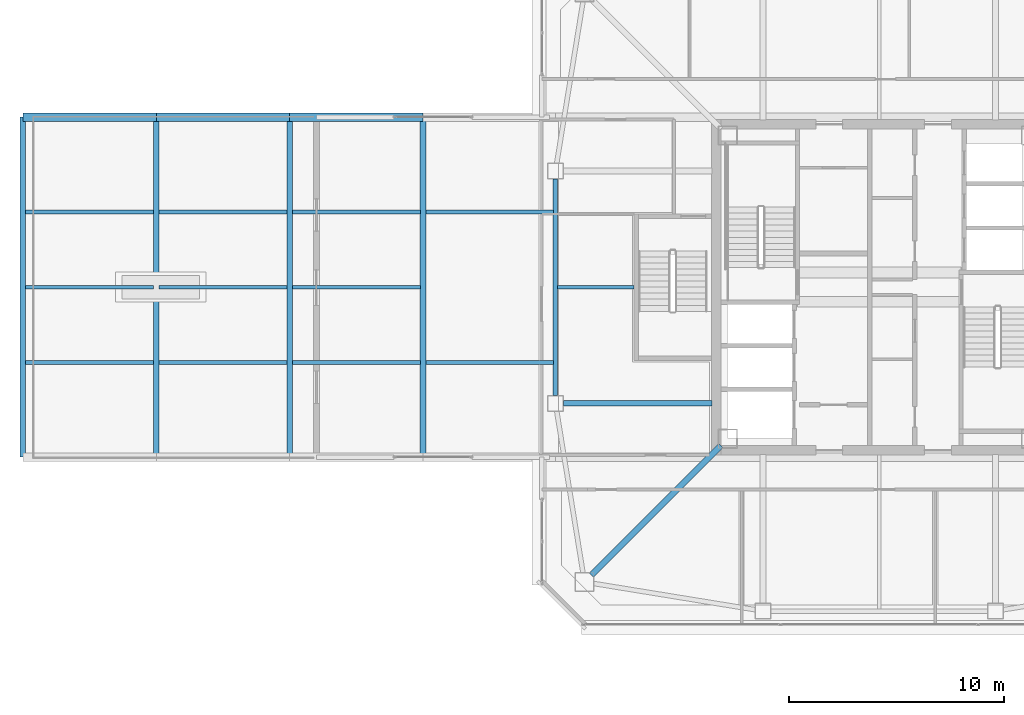
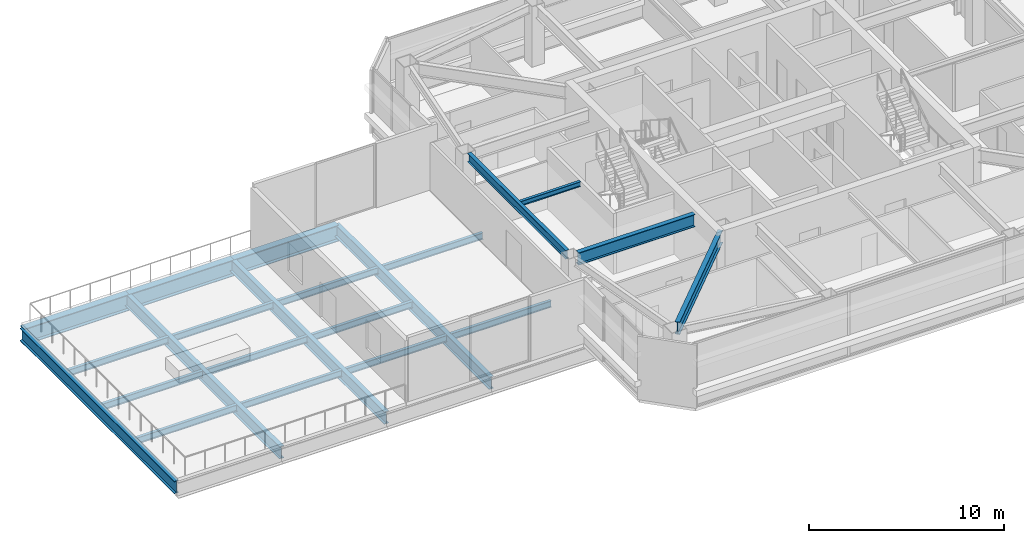
# One storey, part 6 of 51: 22 beams.
"""IFC4 building model written with IfcOpenShell, lengths in metres."""

from ifc_helpers import new_model, si_unit, direction, frame, origin, origin_2d, place, context, subcontext, project, spatial, i_section, extrude, material, material_profile, profile_set, type_object, element, save


model = new_model("IFC4")

# Units and contexts
model_context = context("Model", 3, precision=1e-05, world=origin(), true_north=direction((0.0, 1.0)))
body_context = subcontext(model_context, "Body", "Model", "MODEL_VIEW")
ifc_project = project(units=[si_unit("LENGTHUNIT", "METRE"), si_unit("AREAUNIT", "SQUARE_METRE"), si_unit("VOLUMEUNIT", "CUBIC_METRE"), si_unit("PLANEANGLEUNIT", "RADIAN"), si_unit("MASSUNIT", "GRAM", prefix="KILO")], contexts=[model_context])

# Site, building, storey
site_placement = place(None, origin())
site = spatial("IfcSite", under=ifc_project, at=site_placement, CompositionType="ELEMENT")
building_placement = place(site_placement, origin())
building = spatial("IfcBuilding", under=site, at=building_placement, Name="Tashvorn Skyway Center", CompositionType="ELEMENT")
storey_placement = place(building_placement, frame((0.0, 0.0, 251.39990234375)))
storey = spatial("IfcBuildingStorey", under=building, at=storey_placement, Name="L68", CompositionType="ELEMENT", Elevation=251.39990234375)

# Beams
ifc_material_1 = material(Name="Steel ASTM A992 Grade 50", Category="steel")
ifc_material_profile_1 = material_profile(ifc_material_1, i_section(OverallWidth=0.26708984375, OverallDepth=0.779052734375, WebThickness=0.0166015625, FlangeThickness=0.030029296875, at=origin_2d()), Name="W30X148")
ifc_profile_set_1 = profile_set([ifc_material_profile_1], Name="Steel ASTM A992 Grade 50")
beam_type_1 = type_object("IfcBeamType", Name="BM-BEAM-W30X148", PredefinedType="BEAM", material=ifc_profile_set_1)
beam_1_placement = place(storey_placement, frame((28.61474609375, 18.61474609375, 3.390625), z_axis=(0.707106781187, 0.707106781187, 0.0), x_axis=(-0.707106781187, 0.707106781187, 0.0)))
element("IfcBeam", 1, at=beam_1_placement, inside=storey, type_object=beam_type_1, Name="Tower 1 L68 Primary Floor Girder MC-SW", PredefinedType="BEAM", context=body_context, shape_type="SweptSolid", body=[
    extrude(i_section(OverallWidth=0.26708984375, OverallDepth=0.779052734375, WebThickness=0.0166015625, FlangeThickness=0.030029296875, at=origin_2d()), origin(), (0.0, 0.0, 1.0), 8.514404296875),
])
beam_2_placement = place(storey_placement, frame((27.320068359375, 26.60009765625, 3.390625), z_axis=(1.0, 0.0, 0.0), x_axis=(0.0, 1.0, 0.0)))
element("IfcBeam", 2, at=beam_2_placement, inside=storey, type_object=beam_type_1, Name="Tower 1 L68 Primary Floor Girder FC-W2", PredefinedType="BEAM", context=body_context, shape_type="SweptSolid", body=[
    extrude(i_section(OverallWidth=0.26708984375, OverallDepth=0.779052734375, WebThickness=0.0166015625, FlangeThickness=0.030029296875, at=origin_2d()), origin(), (0.0, 0.0, 1.0), 6.89990234375),
])
for number, where, z_axis, x_axis, name in (
    (3, (2.199951171875, 24.10009765625, -0.609375), (0.0, 1.0, 0.0), (-1.0, 0.0, 0.0), "Sky-Park L68 Transverse Floor Beam 01"),
    (4, (8.39990234375, 24.10009765625, -0.609375), (0.0, 1.0, 0.0), (-1.0, 0.0, 0.0), "Sky-Park L68 Transverse Floor Beam 02"),
    (5, (14.60009765625, 24.10009765625, -0.609375), (0.0, 1.0, 0.0), (-1.0, 0.0, 0.0), "Sky-Park L68 Transverse Floor Beam 03"),
    (6, (20.800048828125, 24.10009765625, -0.609375), (0.0, 1.0, 0.0), (-1.0, 0.0, 0.0), "Sky-Park L68 Transverse Floor Beam 04"),
):
    element("IfcBeam", number, at=place(storey_placement, frame(where, z_axis=z_axis, x_axis=x_axis)), inside=storey, type_object=beam_type_1, Name=name, PredefinedType="BEAM", context=body_context, shape_type="SweptSolid", body=[
        extrude(i_section(OverallWidth=0.26708984375, OverallDepth=0.779052734375, WebThickness=0.0166015625, FlangeThickness=0.030029296875, at=origin_2d()), origin(), (0.0, 0.0, 1.0), 15.7998046875),
    ])
ifc_material_2 = material(Name="Steel ASTM A913 Grade 65", Category="steel")
ifc_material_profile_2 = material_profile(ifc_material_2, i_section(OverallWidth=0.40087890625, OverallDepth=1.010986328125, WebThickness=0.023681640625, FlangeThickness=0.0419921875, at=origin_2d()), Name="W40X297")
ifc_profile_set_2 = profile_set([ifc_material_profile_2], Name="Steel ASTM A913 Grade 65")
beam_type_2 = type_object("IfcBeamType", Name="BM-BEAM-W40X297", PredefinedType="BEAM", material=ifc_profile_set_2)
beam_3_placement = place(storey_placement, frame((2.199951171875, 39.89990234375, -0.725341796875), z_axis=(1.0, 0.0, 0.0), x_axis=(0.0, 1.0, 0.0)))
element("IfcBeam", 7, at=beam_3_placement, inside=storey, type_object=beam_type_2, Name="Sky-Park Truss 2 Bottom Chord Panel 01", PredefinedType="BEAM", context=body_context, shape_type="SweptSolid", body=[
    extrude(i_section(OverallWidth=0.40087890625, OverallDepth=1.010986328125, WebThickness=0.023681640625, FlangeThickness=0.0419921875, at=origin_2d()), origin(), (0.0, 0.0, 1.0), 6.199951171875),
])
beam_4_placement = place(storey_placement, frame((8.39990234375, 39.89990234375, -0.725341796875), z_axis=(1.0, 0.0, 0.0), x_axis=(0.0, 1.0, 0.0)))
element("IfcBeam", 8, at=beam_4_placement, inside=storey, type_object=beam_type_2, Name="Sky-Park Truss 2 Bottom Chord Panel 02", PredefinedType="BEAM", context=body_context, shape_type="SweptSolid", body=[
    extrude(i_section(OverallWidth=0.40087890625, OverallDepth=1.010986328125, WebThickness=0.023681640625, FlangeThickness=0.0419921875, at=origin_2d()), origin(), (0.0, 0.0, 1.0), 6.2001953125),
])
beam_5_placement = place(storey_placement, frame((14.60009765625, 39.89990234375, -0.725341796875), z_axis=(1.0, 0.0, 0.0), x_axis=(0.0, 1.0, 0.0)))
element("IfcBeam", 9, at=beam_5_placement, inside=storey, type_object=beam_type_2, Name="Sky-Park Truss 2 Bottom Chord Panel 03", PredefinedType="BEAM", context=body_context, shape_type="SweptSolid", body=[
    extrude(i_section(OverallWidth=0.40087890625, OverallDepth=1.010986328125, WebThickness=0.023681640625, FlangeThickness=0.0419921875, at=origin_2d()), origin(), (0.0, 0.0, 1.0), 6.199951171875),
])
ifc_material_profile_3 = material_profile(ifc_material_1, i_section(OverallWidth=0.1650390625, OverallDepth=0.31005859375, WebThickness=0.005859375, FlangeThickness=0.009765625, at=origin_2d()), Name="W12X26")
ifc_profile_set_3 = profile_set([ifc_material_profile_3], Name="Steel ASTM A992 Grade 50")
beam_type_3 = type_object("IfcBeamType", Name="BM-JOIST-W12X26", PredefinedType="JOIST", material=ifc_profile_set_3)
beam_6_placement = place(storey_placement, frame((30.610107421875, 32.0, 3.625), z_axis=(-1.0, 0.0, 0.0), x_axis=(0.0, -1.0, 0.0)))
element("IfcBeam", 10, at=beam_6_placement, inside=storey, type_object=beam_type_3, Name="Tower 1 L68 Secondary Composite Joist JW", PredefinedType="JOIST", context=body_context, shape_type="SweptSolid", body=[
    extrude(i_section(OverallWidth=0.1650390625, OverallDepth=0.31005859375, WebThickness=0.005859375, FlangeThickness=0.009765625, at=origin_2d()), origin(), (0.0, 0.0, 1.0), 3.5625),
])
ifc_material_profile_4 = material_profile(ifc_material_1, i_section(OverallWidth=0.177978515625, OverallDepth=0.406005859375, WebThickness=0.0078125, FlangeThickness=0.0126953125, at=origin_2d()), Name="W16X40")
ifc_profile_set_4 = profile_set([ifc_material_profile_4], Name="Steel ASTM A992 Grade 50")
beam_type_4 = type_object("IfcBeamType", Name="BM-JOIST-W16X40", PredefinedType="JOIST", material=ifc_profile_set_4)
for number, where, z_axis, x_axis, name in (
    (11, (2.325439453125, 28.5, -0.4228515625), (1.0, 0.0, 0.0), (0.0, 1.0, 0.0), "Sky-Park L68 Longitudinal Joist 01-1"),
    (12, (2.325439453125, 32.0, -0.4228515625), (1.0, 0.0, 0.0), (0.0, 1.0, 0.0), "Sky-Park L68 Longitudinal Joist 01-2"),
    (13, (2.325439453125, 35.5, -0.4228515625), (1.0, 0.0, 0.0), (0.0, 1.0, 0.0), "Sky-Park L68 Longitudinal Joist 01-3"),
):
    element("IfcBeam", number, at=place(storey_placement, frame(where, z_axis=z_axis, x_axis=x_axis)), inside=storey, type_object=beam_type_4, Name=name, PredefinedType="JOIST", context=body_context, shape_type="SweptSolid", body=[
        extrude(i_section(OverallWidth=0.177978515625, OverallDepth=0.406005859375, WebThickness=0.0078125, FlangeThickness=0.0126953125, at=origin_2d()), origin(), (0.0, 0.0, 1.0), 5.948974609375),
    ])
for number, where, z_axis, x_axis, name in (
    (14, (8.525390625, 28.5, -0.4228515625), (1.0, 0.0, 0.0), (0.0, 1.0, 0.0), "Sky-Park L68 Longitudinal Joist 02-1"),
    (15, (8.525390625, 32.0, -0.4228515625), (1.0, 0.0, 0.0), (0.0, 1.0, 0.0), "Sky-Park L68 Longitudinal Joist 02-2"),
    (16, (8.525390625, 35.5, -0.4228515625), (1.0, 0.0, 0.0), (0.0, 1.0, 0.0), "Sky-Park L68 Longitudinal Joist 02-3"),
):
    element("IfcBeam", number, at=place(storey_placement, frame(where, z_axis=z_axis, x_axis=x_axis)), inside=storey, type_object=beam_type_4, Name=name, PredefinedType="JOIST", context=body_context, shape_type="SweptSolid", body=[
        extrude(i_section(OverallWidth=0.177978515625, OverallDepth=0.406005859375, WebThickness=0.0078125, FlangeThickness=0.0126953125, at=origin_2d()), origin(), (0.0, 0.0, 1.0), 5.94921875),
    ])
for number, where, z_axis, x_axis, name in (
    (17, (14.7255859375, 28.5, -0.4228515625), (1.0, 0.0, 0.0), (0.0, 1.0, 0.0), "Sky-Park L68 Longitudinal Joist 03-1"),
    (18, (14.7255859375, 32.0, -0.4228515625), (1.0, 0.0, 0.0), (0.0, 1.0, 0.0), "Sky-Park L68 Longitudinal Joist 03-2"),
    (19, (14.7255859375, 35.5, -0.4228515625), (1.0, 0.0, 0.0), (0.0, 1.0, 0.0), "Sky-Park L68 Longitudinal Joist 03-3"),
):
    element("IfcBeam", number, at=place(storey_placement, frame(where, z_axis=z_axis, x_axis=x_axis)), inside=storey, type_object=beam_type_4, Name=name, PredefinedType="JOIST", context=body_context, shape_type="SweptSolid", body=[
        extrude(i_section(OverallWidth=0.177978515625, OverallDepth=0.406005859375, WebThickness=0.0078125, FlangeThickness=0.0126953125, at=origin_2d()), origin(), (0.0, 0.0, 1.0), 5.948974609375),
    ])
for number, where, z_axis, x_axis, name in (
    (20, (20.925537109375, 28.5, -0.4228515625), (1.0, 0.0, 0.0), (0.0, 1.0, 0.0), "Sky-Park L68 Longitudinal Joist 04-1"),
    (21, (20.925537109375, 35.5, -0.4228515625), (1.0, 0.0, 0.0), (0.0, 1.0, 0.0), "Sky-Park L68 Longitudinal Joist 04-3"),
):
    element("IfcBeam", number, at=place(storey_placement, frame(where, z_axis=z_axis, x_axis=x_axis)), inside=storey, type_object=beam_type_4, Name=name, PredefinedType="JOIST", context=body_context, shape_type="SweptSolid", body=[
        extrude(i_section(OverallWidth=0.177978515625, OverallDepth=0.406005859375, WebThickness=0.0078125, FlangeThickness=0.0126953125, at=origin_2d()), origin(), (0.0, 0.0, 1.0), 5.925048828125),
    ])
ifc_material_profile_5 = material_profile(ifc_material_1, i_section(OverallWidth=0.2109375, OverallDepth=0.5390625, WebThickness=0.01171875, FlangeThickness=0.018798828125, at=origin_2d()), Name="W21X73")
ifc_profile_set_5 = profile_set([ifc_material_profile_5], Name="Steel ASTM A992 Grade 50")
beam_type_5 = type_object("IfcBeamType", Name="BM-SPANDREL-W21X73", PredefinedType="SPANDREL", material=ifc_profile_set_5)
beam_7_placement = place(storey_placement, frame((26.949951171875, 37.030029296875, 3.510498046875), z_axis=(0.0, -1.0, 0.0), x_axis=(1.0, 0.0, 0.0)))
element("IfcBeam", 22, at=beam_7_placement, inside=storey, type_object=beam_type_5, Name="Tower 1 L68 Spandrel Beam 11", PredefinedType="SPANDREL", context=body_context, shape_type="SweptSolid", body=[
    extrude(i_section(OverallWidth=0.2109375, OverallDepth=0.5390625, WebThickness=0.01171875, FlangeThickness=0.018798828125, at=origin_2d()), origin(), (0.0, 0.0, 1.0), 10.06005859375),
])

save(model, "model.ifc")
